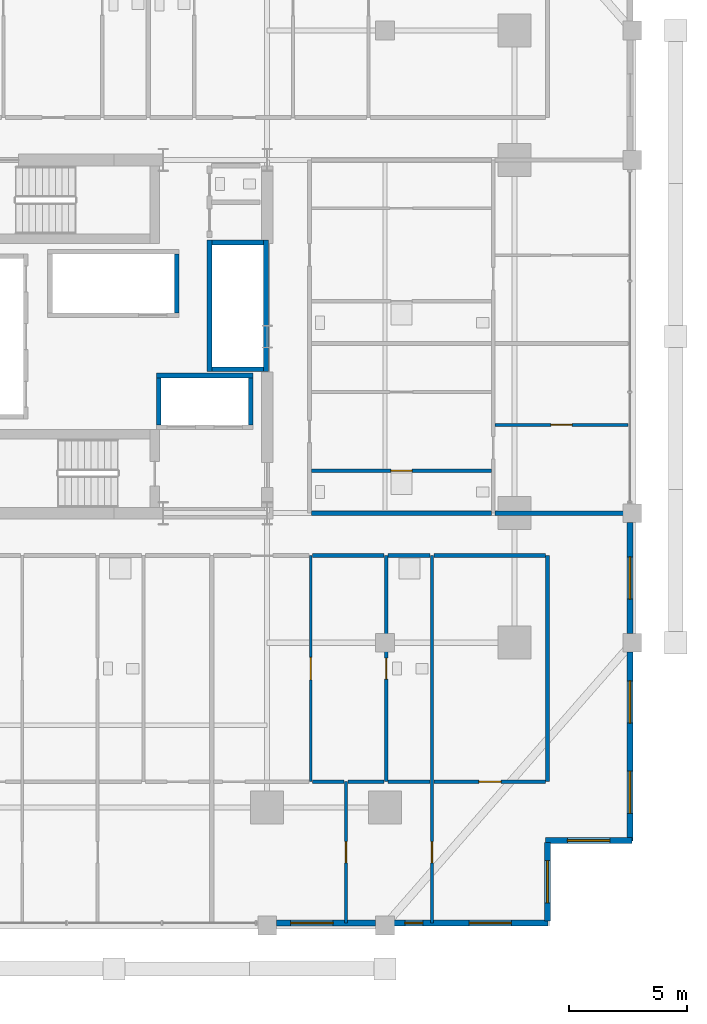
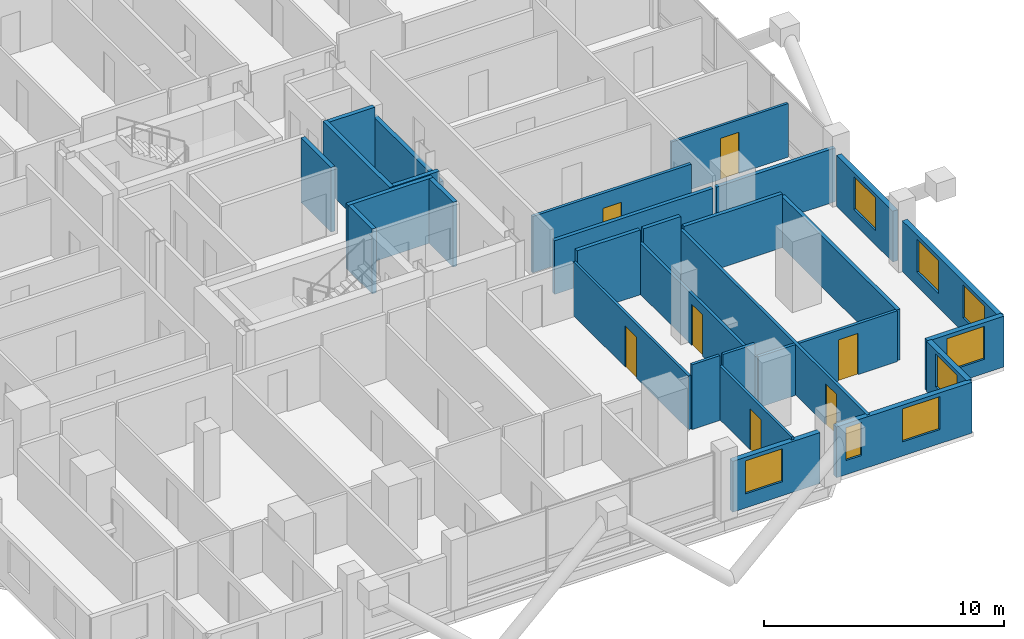
# One storey, part 19 of 24: 30 walls, 8 windows, 7 doors, 15 openings.
"""IFC4 building model written with IfcOpenShell, lengths in metres."""

from ifc_helpers import new_model, si_unit, direction, frame, frame_2d, origin, place, context, subcontext, project, spatial, rectangle, extrude, material, layer, layer_set, type_object, element, fill, save


model = new_model("IFC4")

# Units and contexts
model_context = context("Model", 3, precision=1e-05, world=origin(), true_north=direction((0.0, 1.0)))
body_context = subcontext(model_context, "Body", "Model", "MODEL_VIEW")
ifc_project = project(units=[si_unit("LENGTHUNIT", "METRE"), si_unit("AREAUNIT", "SQUARE_METRE"), si_unit("VOLUMEUNIT", "CUBIC_METRE"), si_unit("PLANEANGLEUNIT", "RADIAN"), si_unit("MASSUNIT", "GRAM", prefix="KILO")], contexts=[model_context])

# Site, building, storey
site_placement = place(None, origin())
site = spatial("IfcSite", under=ifc_project, at=site_placement, CompositionType="ELEMENT")
building_placement = place(site_placement, origin())
building = spatial("IfcBuilding", under=site, at=building_placement, Name="Barlavira Tower and Art Museum", CompositionType="ELEMENT")
storey_placement = place(building_placement, frame((0.0, 0.0, 90.0)))
storey = spatial("IfcBuildingStorey", under=building, at=storey_placement, Name="L22", CompositionType="ELEMENT", Elevation=90.0)

# Wall, opening, door
ifc_material_1 = material(Name="Gypsum acoustic stud partition", Category="gypsum")
ifc_layer_1 = layer(ifc_material_1, 0.1201171875, Name="Gypsum acoustic stud partition")
ifc_layer_set_1 = layer_set([ifc_layer_1], Name="Gypsum acoustic stud partition")
wall_type_1 = type_object("IfcWallType", Name="Apartment Internal Acoustic Partition 120", PredefinedType="PARTITIONING", material=ifc_layer_set_1)
wall_1_placement = place(storey_placement, frame((8.35009765625, -18.89990234375, 0.0), z_axis=(0.0, 0.0, 1.0), x_axis=(0.0, 1.0, 0.0)))
wall_1 = element("IfcWall", 1, at=wall_1_placement, inside=storey, type_object=wall_type_1, Name="L22 Partition Wall 24", PredefinedType="PARTITIONING", context=body_context, shape_type="SweptSolid", body=[
    extrude(rectangle(XDim=9.599853515625, YDim=0.1201171875, at=frame_2d((4.7998046875, 0.0))), origin(), (0.0, 0.0, 1.0), 2.736083984375),
])
opening_1_placement = place(wall_1_placement, frame((4.324951171875, 0.0, 0.0)))
opening_1 = element("IfcOpeningElement", 2, at=opening_1_placement, cuts=wall_1, Name="Opening D-02", PredefinedType="OPENING", context=body_context, shape_type="SweptSolid", body=[
    extrude(rectangle(XDim=0.949951171875, YDim=2.10009765625, at=frame_2d((0.47509765625, 1.050048828125))), frame((0.0, 0.070068359375, 0.0), z_axis=(0.0, -1.0, 0.0), x_axis=(1.0, 0.0, 0.0)), (0.0, 0.0, 1.0), 0.14013671875),
])
ifc_material_2 = material(Name="Engineered coastal hardwood", Category="wood")
door_type_1 = type_object("IfcDoorType", Name="Living and Salon Glazed-Leaf Door 950x2100", OperationType="NOTDEFINED", PredefinedType="DOOR", material=ifc_material_2)
door_1_placement = place(opening_1_placement, origin())
door_1 = element("IfcDoor", 3, at=door_1_placement, inside=storey, type_object=door_type_1, Name="Apartment S3 Kitchen Door", OperationType="SINGLE_SWING_RIGHT", OverallHeight=2.10009765625, OverallWidth=0.949951171875, PredefinedType="DOOR", context=body_context, shape_type="SweptSolid", body=[
    extrude(rectangle(XDim=0.949951171875, YDim=2.10009765625, at=frame_2d((0.47509765625, 1.050048828125))), frame((0.0, 0.02490234375, 0.0), z_axis=(0.0, -1.0, 0.0), x_axis=(1.0, 0.0, 0.0)), (0.0, 0.0, 1.0), 0.050048828125),
])
fill(opening_1, door_1)

wall_2_placement = place(storey_placement, frame((9.85009765625, -24.89990234375, 0.0), z_axis=(0.0, 0.0, 1.0), x_axis=(0.0, 1.0, 0.0)))
wall_2 = element("IfcWall", 4, at=wall_2_placement, inside=storey, type_object=wall_type_1, Name="L22 Partition Wall 25", PredefinedType="PARTITIONING", context=body_context, shape_type="SweptSolid", body=[
    extrude(rectangle(XDim=6.0, YDim=0.1201171875, at=frame_2d((3.0, 0.0))), origin(), (0.0, 0.0, 1.0), 2.736083984375),
])
opening_2_placement = place(wall_2_placement, frame((2.550048828125, 0.0, 0.0)))
opening_2 = element("IfcOpeningElement", 5, at=opening_2_placement, cuts=wall_2, Name="Opening D-01", PredefinedType="OPENING", context=body_context, shape_type="SweptSolid", body=[
    extrude(rectangle(XDim=0.89990234375, YDim=2.10009765625, at=frame_2d((0.449951171875, 1.050048828125))), frame((0.0, 0.070068359375, 0.0), z_axis=(0.0, -1.0, 0.0), x_axis=(1.0, 0.0, 0.0)), (0.0, 0.0, 1.0), 0.14013671875),
])
door_type_2 = type_object("IfcDoorType", Name="Internal Bedroom Timber Flush Door 900x2100", OperationType="NOTDEFINED", PredefinedType="DOOR", material=ifc_material_2)
door_2_placement = place(opening_2_placement, origin())
door_2 = element("IfcDoor", 6, at=door_2_placement, inside=storey, type_object=door_type_2, Name="Apartment S3 Bedroom 1 Door", OperationType="SINGLE_SWING_RIGHT", OverallHeight=2.10009765625, OverallWidth=0.89990234375, PredefinedType="DOOR", context=body_context, shape_type="SweptSolid", body=[
    extrude(rectangle(XDim=0.89990234375, YDim=2.10009765625, at=frame_2d((0.449951171875, 1.050048828125))), frame((0.0, 0.02490234375, 0.0), z_axis=(0.0, -1.0, 0.0), x_axis=(1.0, 0.0, 0.0)), (0.0, 0.0, 1.0), 0.050048828125),
])
fill(opening_2, door_2)

wall_3_placement = place(storey_placement, frame((16.179931640625, -3.75, 0.0), z_axis=(0.0, 0.0, 1.0), x_axis=(1.0, 0.0, 0.0)))
wall_3 = element("IfcWall", 7, at=wall_3_placement, inside=storey, type_object=wall_type_1, Name="L22 Partition Wall 65", PredefinedType="PARTITIONING", context=body_context, shape_type="SweptSolid", body=[
    extrude(rectangle(XDim=5.64013671875, YDim=0.1201171875, at=frame_2d((2.820068359375, 0.0))), origin(), (0.0, 0.0, 1.0), 2.736083984375),
])
opening_3_placement = place(wall_3_placement, frame((2.3701171875, 0.0, 0.0)))
opening_3 = element("IfcOpeningElement", 8, at=opening_3_placement, cuts=wall_3, Name="Opening D-01", PredefinedType="OPENING", context=body_context, shape_type="SweptSolid", body=[
    extrude(rectangle(XDim=0.89990234375, YDim=2.10009765625, at=frame_2d((0.449951171875, 1.050048828125))), frame((0.0, 0.070068359375, 0.0), z_axis=(0.0, -1.0, 0.0), x_axis=(1.0, 0.0, 0.0)), (0.0, 0.0, 1.0), 0.14013671875),
])
door_3_placement = place(opening_3_placement, origin())
door_3 = element("IfcDoor", 9, at=door_3_placement, inside=storey, type_object=door_type_2, Name="Apartment E1 Bedroom 1 Door", OperationType="SINGLE_SWING_RIGHT", OverallHeight=2.10009765625, OverallWidth=0.89990234375, PredefinedType="DOOR", context=body_context, shape_type="SweptSolid", body=[
    extrude(rectangle(XDim=0.89990234375, YDim=2.10009765625, at=frame_2d((0.449951171875, 1.050048828125))), frame((0.0, 0.02490234375, 0.0), z_axis=(0.0, -1.0, 0.0), x_axis=(1.0, 0.0, 0.0)), (0.0, 0.0, 1.0), 0.050048828125),
])
fill(opening_3, door_3)

# Walls
ifc_material_3 = material(Name="Autoclaved aerated concrete masonry", Category="masonry")
ifc_layer_2 = layer(ifc_material_3, 0.199951171875, Name="Autoclaved aerated concrete masonry")
ifc_layer_set_2 = layer_set([ifc_layer_2], Name="Autoclaved aerated concrete masonry")
wall_type_2 = type_object("IfcWallType", Name="Fire Compartment and Shaft Wall 200", PredefinedType="SOLIDWALL", material=ifc_layer_set_2)
wall_4_placement = place(storey_placement, frame((4.050048828125, -1.489990234375, 0.0), z_axis=(0.0, 0.0, 1.0), x_axis=(0.0, 1.0, 0.0)))
element("IfcWall", 10, at=wall_4_placement, inside=storey, type_object=wall_type_2, Name="L22 Mid-Rise Lift Front Shaft Wall", PredefinedType="SOLIDWALL", context=body_context, shape_type="SweptSolid", body=[
    extrude(rectangle(XDim=5.580078125, YDim=0.199951171875, at=frame_2d((2.7900390625, 0.0))), origin(), (0.0, 0.0, 1.0), 3.300048828125),
])
wall_5_placement = place(storey_placement, frame((6.449951171875, -1.489990234375, 0.0), z_axis=(0.0, 0.0, 1.0), x_axis=(0.0, 1.0, 0.0)))
element("IfcWall", 11, at=wall_5_placement, inside=storey, type_object=wall_type_2, Name="L22 Mid-Rise Lift Back Shaft Wall", PredefinedType="SOLIDWALL", context=body_context, shape_type="SweptSolid", body=[
    extrude(rectangle(XDim=5.580078125, YDim=0.199951171875, at=frame_2d((2.7900390625, 0.0))), origin(), (0.0, 0.0, 1.0), 2.736083984375),
])
for number, where, z_axis, x_axis, name in (
    (12, (4.14990234375, -1.389892578125, 0.0), (0.0, 0.0, 1.0), (1.0, 0.0, 0.0), "L22 Mid-Rise Lift South Shaft Wall"),
    (13, (4.14990234375, 3.989990234375, 0.0), (0.0, 0.0, 1.0), (1.0, 0.0, 0.0), "L22 Mid-Rise Lift North Shaft Wall"),
):
    element("IfcWall", number, at=place(storey_placement, frame(where, z_axis=z_axis, x_axis=x_axis)), inside=storey, type_object=wall_type_2, Name=name, PredefinedType="SOLIDWALL", context=body_context, shape_type="SweptSolid", body=[
        extrude(rectangle(XDim=2.2001953125, YDim=0.199951171875, at=frame_2d((1.10009765625, 0.0))), origin(), (0.0, 0.0, 1.0), 3.300048828125),
    ])
wall_6_placement = place(storey_placement, frame((2.659912109375, 1.0, 0.0), z_axis=(0.0, 0.0, 1.0), x_axis=(0.0, 1.0, 0.0)))
element("IfcWall", 14, at=wall_6_placement, inside=storey, type_object=wall_type_2, Name="L22 High-Rise & Service Lift East Wall", PredefinedType="SOLIDWALL", context=body_context, shape_type="SweptSolid", body=[
    extrude(rectangle(XDim=2.5, YDim=0.199951171875, at=frame_2d((1.25, 0.0))), origin(), (0.0, 0.0, 1.0), 3.300048828125),
])
wall_7_placement = place(storey_placement, frame((1.800048828125, -1.64990234375, 0.0), z_axis=(0.0, 0.0, 1.0), x_axis=(1.0, 0.0, 0.0)))
element("IfcWall", 15, at=wall_7_placement, inside=storey, type_object=wall_type_2, Name="L22 Firefighting Lift Back Shaft Wall", PredefinedType="SOLIDWALL", context=body_context, shape_type="SweptSolid", body=[
    extrude(rectangle(XDim=4.099853515625, YDim=0.199951171875, at=frame_2d((2.0498046875, 0.0))), origin(), (0.0, 0.0, 1.0), 3.300048828125),
])
for number, where, z_axis, x_axis, name in (
    (16, (1.89990234375, -3.75, 0.0), (0.0, 0.0, 1.0), (0.0, 1.0, 0.0), "L22 Firefighting Lift West Shaft Wall"),
    (17, (5.800048828125, -3.75, 0.0), (0.0, 0.0, 1.0), (0.0, 1.0, 0.0), "L22 Firefighting Lift East Shaft Wall"),
):
    element("IfcWall", number, at=place(storey_placement, frame(where, z_axis=z_axis, x_axis=x_axis)), inside=storey, type_object=wall_type_2, Name=name, PredefinedType="SOLIDWALL", context=body_context, shape_type="SweptSolid", body=[
        extrude(rectangle(XDim=2.0, YDim=0.199951171875, at=frame_2d((1.0, 0.0))), origin(), (0.0, 0.0, 1.0), 3.300048828125),
    ])
ifc_layer_3 = layer(ifc_material_1, 0.179931640625, Name="Gypsum acoustic stud partition")
ifc_layer_set_3 = layer_set([ifc_layer_3], Name="Gypsum acoustic stud partition")
wall_type_3 = type_object("IfcWallType", Name="Inter-Tenancy Party Partition Wall 180", PredefinedType="PARTITIONING", material=ifc_layer_set_3)
wall_8_placement = place(storey_placement, frame((18.39990234375, -18.89990234375, 0.0), z_axis=(0.0, 0.0, 1.0), x_axis=(0.0, 1.0, 0.0)))
element("IfcWall", 18, at=wall_8_placement, inside=storey, type_object=wall_type_3, Name="L22 Partition Wall 31", PredefinedType="PARTITIONING", context=body_context, shape_type="SweptSolid", body=[
    extrude(rectangle(XDim=9.599853515625, YDim=0.179931640625, at=frame_2d((4.7998046875, 0.0))), origin(), (0.0, 0.0, 1.0), 2.590087890625),
])
wall_9_placement = place(storey_placement, frame((8.429931640625, -9.300048828125, 0.0), z_axis=(0.0, 0.0, 1.0), x_axis=(1.0, 0.0, 0.0)))
element("IfcWall", 19, at=wall_9_placement, inside=storey, type_object=wall_type_3, Name="L22 Partition Wall 55", PredefinedType="PARTITIONING", context=body_context, shape_type="SweptSolid", body=[
    extrude(rectangle(XDim=3.0400390625, YDim=0.179931640625, at=frame_2d((1.52001953125, 0.0))), origin(), (0.0, 0.0, 1.0), 3.300048828125),
])
wall_10_placement = place(storey_placement, frame((11.6298828125, -9.300048828125, 0.0), z_axis=(0.0, 0.0, 1.0), x_axis=(1.0, 0.0, 0.0)))
element("IfcWall", 20, at=wall_10_placement, inside=storey, type_object=wall_type_3, Name="L22 Partition Wall 56", PredefinedType="PARTITIONING", context=body_context, shape_type="SweptSolid", body=[
    extrude(rectangle(XDim=1.7900390625, YDim=0.179931640625, at=frame_2d((0.89501953125, 0.0))), origin(), (0.0, 0.0, 1.0), 3.300048828125),
])
wall_11_placement = place(storey_placement, frame((13.580078125, -9.300048828125, 0.0), z_axis=(0.0, 0.0, 1.0), x_axis=(1.0, 0.0, 0.0)))
element("IfcWall", 21, at=wall_11_placement, inside=storey, type_object=wall_type_3, Name="L22 Partition Wall 57", PredefinedType="PARTITIONING", context=body_context, shape_type="SweptSolid", body=[
    extrude(rectangle(XDim=4.739990234375, YDim=0.179931640625, at=frame_2d((2.3701171875, 0.0))), origin(), (0.0, 0.0, 1.0), 2.736083984375),
])
wall_12_placement = place(storey_placement, frame((8.3798828125, -7.5, 0.0), z_axis=(0.0, 0.0, 1.0), x_axis=(1.0, 0.0, 0.0)))
element("IfcWall", 22, at=wall_12_placement, inside=storey, type_object=wall_type_3, Name="L22 Partition Wall 60", PredefinedType="PARTITIONING", context=body_context, shape_type="SweptSolid", body=[
    extrude(rectangle(XDim=7.64013671875, YDim=0.179931640625, at=frame_2d((3.820068359375, 0.0))), origin(), (0.0, 0.0, 1.0), 2.736083984375),
])
wall_13_placement = place(storey_placement, frame((16.179931640625, -7.5, 0.0), z_axis=(0.0, 0.0, 1.0), x_axis=(1.0, 0.0, 0.0)))
element("IfcWall", 23, at=wall_13_placement, inside=storey, type_object=wall_type_3, Name="L22 Partition Wall 61", PredefinedType="PARTITIONING", context=body_context, shape_type="SweptSolid", body=[
    extrude(rectangle(XDim=5.719970703125, YDim=0.179931640625, at=frame_2d((2.85986328125, 0.0))), origin(), (0.0, 0.0, 1.0), 2.736083984375),
])

# Wall, opening, door
ifc_layer_4 = layer(ifc_material_1, 0.139892578125, Name="Gypsum acoustic stud partition")
ifc_layer_set_4 = layer_set([ifc_layer_4], Name="Gypsum acoustic stud partition")
wall_type_4 = type_object("IfcWallType", Name="Moisture-Resistant Bathroom Partition 140", PredefinedType="PARTITIONING", material=ifc_layer_set_4)
wall_14_placement = place(storey_placement, frame((11.550048828125, -18.89990234375, 0.0), z_axis=(0.0, 0.0, 1.0), x_axis=(0.0, 1.0, 0.0)))
wall_14 = element("IfcWall", 24, at=wall_14_placement, inside=storey, type_object=wall_type_4, Name="L22 Partition Wall 27", PredefinedType="PARTITIONING", context=body_context, shape_type="SweptSolid", body=[
    extrude(rectangle(XDim=9.599853515625, YDim=0.139892578125, at=frame_2d((4.7998046875, 0.0))), origin(), (0.0, 0.0, 1.0), 2.590087890625),
])
opening_4_placement = place(wall_14_placement, frame((4.35009765625, 0.0, 0.0)))
opening_4 = element("IfcOpeningElement", 25, at=opening_4_placement, cuts=wall_14, Name="Opening D-WC", PredefinedType="OPENING", context=body_context, shape_type="SweptSolid", body=[
    extrude(rectangle(XDim=0.89990234375, YDim=2.10009765625, at=frame_2d((0.449951171875, 1.050048828125))), frame((0.0, 0.080078125, 0.0), z_axis=(0.0, -1.0, 0.0), x_axis=(1.0, 0.0, 0.0)), (0.0, 0.0, 1.0), 0.159912109375),
])
door_type_3 = type_object("IfcDoorType", Name="Accessible Bathroom Flush Door 900x2100", OperationType="NOTDEFINED", PredefinedType="DOOR", material=ifc_material_2)
door_4_placement = place(opening_4_placement, origin())
door_4 = element("IfcDoor", 26, at=door_4_placement, inside=storey, type_object=door_type_3, Name="Apartment S3 Hall Bathroom Door", OperationType="SINGLE_SWING_LEFT", OverallHeight=2.10009765625, OverallWidth=0.89990234375, PredefinedType="DOOR", context=body_context, shape_type="SweptSolid", body=[
    extrude(rectangle(XDim=0.89990234375, YDim=2.10009765625, at=frame_2d((0.449951171875, 1.050048828125))), frame((0.0, 0.02490234375, 0.0), z_axis=(0.0, -1.0, 0.0), x_axis=(1.0, 0.0, 0.0)), (0.0, 0.0, 1.0), 0.050048828125),
])
fill(opening_4, door_4)

wall_15_placement = place(storey_placement, frame((13.5, -24.89990234375, 0.0), z_axis=(0.0, 0.0, 1.0), x_axis=(0.0, 1.0, 0.0)))
wall_15 = element("IfcWall", 27, at=wall_15_placement, inside=storey, type_object=wall_type_4, Name="L22 Partition Wall 29", PredefinedType="PARTITIONING", context=body_context, shape_type="SweptSolid", body=[
    extrude(rectangle(XDim=15.599853515625, YDim=0.139892578125, at=frame_2d((7.7998046875, 0.0))), origin(), (0.0, 0.0, 1.0), 2.590087890625),
])
opening_5_placement = place(wall_15_placement, frame((2.550048828125, 0.0, 0.0)))
opening_5 = element("IfcOpeningElement", 28, at=opening_5_placement, cuts=wall_15, Name="Opening D-01", PredefinedType="OPENING", context=body_context, shape_type="SweptSolid", body=[
    extrude(rectangle(XDim=0.89990234375, YDim=2.10009765625, at=frame_2d((0.449951171875, 1.050048828125))), frame((0.0, 0.080078125, 0.0), z_axis=(0.0, -1.0, 0.0), x_axis=(1.0, 0.0, 0.0)), (0.0, 0.0, 1.0), 0.159912109375),
])
door_5_placement = place(opening_5_placement, origin())
door_5 = element("IfcDoor", 29, at=door_5_placement, inside=storey, type_object=door_type_2, Name="Apartment S3 Bedroom 2 Door", OperationType="SINGLE_SWING_LEFT", OverallHeight=2.10009765625, OverallWidth=0.89990234375, PredefinedType="DOOR", context=body_context, shape_type="SweptSolid", body=[
    extrude(rectangle(XDim=0.89990234375, YDim=2.10009765625, at=frame_2d((0.449951171875, 1.050048828125))), frame((0.0, 0.02490234375, 0.0), z_axis=(0.0, -1.0, 0.0), x_axis=(1.0, 0.0, 0.0)), (0.0, 0.0, 1.0), 0.050048828125),
])
fill(opening_5, door_5)

# Walls
wall_16_placement = place(storey_placement, frame((8.429931640625, -18.89990234375, 0.0), z_axis=(0.0, 0.0, 1.0), x_axis=(1.0, 0.0, 0.0)))
element("IfcWall", 30, at=wall_16_placement, inside=storey, type_object=wall_type_4, Name="L22 Partition Wall 43", PredefinedType="PARTITIONING", context=body_context, shape_type="SweptSolid", body=[
    extrude(rectangle(XDim=1.340087890625, YDim=0.139892578125, at=frame_2d((0.669921875, 0.0))), origin(), (0.0, 0.0, 1.0), 3.300048828125),
])
wall_17_placement = place(storey_placement, frame((9.929931640625, -18.89990234375, 0.0), z_axis=(0.0, 0.0, 1.0), x_axis=(1.0, 0.0, 0.0)))
element("IfcWall", 31, at=wall_17_placement, inside=storey, type_object=wall_type_4, Name="L22 Partition Wall 44", PredefinedType="PARTITIONING", context=body_context, shape_type="SweptSolid", body=[
    extrude(rectangle(XDim=1.5400390625, YDim=0.139892578125, at=frame_2d((0.77001953125, 0.0))), origin(), (0.0, 0.0, 1.0), 3.300048828125),
])
wall_18_placement = place(storey_placement, frame((11.6298828125, -18.89990234375, 0.0), z_axis=(0.0, 0.0, 1.0), x_axis=(1.0, 0.0, 0.0)))
element("IfcWall", 32, at=wall_18_placement, inside=storey, type_object=wall_type_4, Name="L22 Partition Wall 45", PredefinedType="PARTITIONING", context=body_context, shape_type="SweptSolid", body=[
    extrude(rectangle(XDim=1.7900390625, YDim=0.139892578125, at=frame_2d((0.89501953125, 0.0))), origin(), (0.0, 0.0, 1.0), 2.590087890625),
])

# Wall, opening, door
wall_19_placement = place(storey_placement, frame((13.580078125, -18.89990234375, 0.0), z_axis=(0.0, 0.0, 1.0), x_axis=(1.0, 0.0, 0.0)))
wall_19 = element("IfcWall", 33, at=wall_19_placement, inside=storey, type_object=wall_type_4, Name="L22 Partition Wall 46", PredefinedType="PARTITIONING", context=body_context, shape_type="SweptSolid", body=[
    extrude(rectangle(XDim=4.739990234375, YDim=0.139892578125, at=frame_2d((2.3701171875, 0.0))), origin(), (0.0, 0.0, 1.0), 2.590087890625),
])
opening_6_placement = place(wall_19_placement, frame((1.905029296875, 0.0, 0.0)))
opening_6 = element("IfcOpeningElement", 34, at=opening_6_placement, cuts=wall_19, Name="Opening D-02", PredefinedType="OPENING", context=body_context, shape_type="SweptSolid", body=[
    extrude(rectangle(XDim=0.949951171875, YDim=2.10009765625, at=frame_2d((0.47509765625, 1.050048828125))), frame((0.0, 0.080078125, 0.0), z_axis=(0.0, -1.0, 0.0), x_axis=(1.0, 0.0, 0.0)), (0.0, 0.0, 1.0), 0.159912109375),
])
door_6_placement = place(opening_6_placement, origin())
door_6 = element("IfcDoor", 35, at=door_6_placement, inside=storey, type_object=door_type_1, Name="Apartment S3 Dining Salon Door", OperationType="SINGLE_SWING_RIGHT", OverallHeight=2.10009765625, OverallWidth=0.949951171875, PredefinedType="DOOR", context=body_context, shape_type="SweptSolid", body=[
    extrude(rectangle(XDim=0.949951171875, YDim=2.10009765625, at=frame_2d((0.47509765625, 1.050048828125))), frame((0.0, 0.02490234375, 0.0), z_axis=(0.0, -1.0, 0.0), x_axis=(1.0, 0.0, 0.0)), (0.0, 0.0, 1.0), 0.050048828125),
])
fill(opening_6, door_6)

wall_20_placement = place(storey_placement, frame((8.3798828125, -5.699951171875, 0.0), z_axis=(0.0, 0.0, 1.0), x_axis=(1.0, 0.0, 0.0)))
wall_20 = element("IfcWall", 36, at=wall_20_placement, inside=storey, type_object=wall_type_4, Name="L22 Partition Wall 63", PredefinedType="PARTITIONING", context=body_context, shape_type="SweptSolid", body=[
    extrude(rectangle(XDim=7.64013671875, YDim=0.139892578125, at=frame_2d((3.820068359375, 0.0))), origin(), (0.0, 0.0, 1.0), 2.867919921875),
])
opening_7_placement = place(wall_20_placement, frame((3.3701171875, 0.0, 0.0)))
opening_7 = element("IfcOpeningElement", 37, at=opening_7_placement, cuts=wall_20, Name="Opening D-WC", PredefinedType="OPENING", context=body_context, shape_type="SweptSolid", body=[
    extrude(rectangle(XDim=0.89990234375, YDim=2.10009765625, at=frame_2d((0.449951171875, 1.050048828125))), frame((0.0, 0.080078125, 0.0), z_axis=(0.0, -1.0, 0.0), x_axis=(1.0, 0.0, 0.0)), (0.0, 0.0, 1.0), 0.159912109375),
])
door_7_placement = place(opening_7_placement, origin())
door_7 = element("IfcDoor", 38, at=door_7_placement, inside=storey, type_object=door_type_3, Name="Apartment E1 Hall Bathroom Door", OperationType="SINGLE_SWING_RIGHT", OverallHeight=2.10009765625, OverallWidth=0.89990234375, PredefinedType="DOOR", context=body_context, shape_type="SweptSolid", body=[
    extrude(rectangle(XDim=0.89990234375, YDim=2.10009765625, at=frame_2d((0.449951171875, 1.050048828125))), frame((0.0, 0.02490234375, 0.0), z_axis=(0.0, -1.0, 0.0), x_axis=(1.0, 0.0, 0.0)), (0.0, 0.0, 1.0), 0.050048828125),
])
fill(opening_7, door_7)

# Wall, opening, window
ifc_material_4 = material(Name="Precast concrete C40", Category="concrete")
ifc_layer_5 = layer(ifc_material_4, 0.25, Name="Precast concrete C40")
ifc_layer_set_5 = layer_set([ifc_layer_5], Name="Precast concrete C40")
wall_type_5 = type_object("IfcWallType", Name="Notched Corner Spandrel Wall 250 Precast Concrete C40", PredefinedType="SOLIDWALL", material=ifc_layer_set_5)
wall_21_placement = place(storey_placement, frame((6.89501953125, -24.89990234375, 0.0), z_axis=(0.0, 0.0, 1.0), x_axis=(1.0, 0.0, 0.0)))
wall_21 = element("IfcWall", 39, at=wall_21_placement, inside=storey, type_object=wall_type_5, Name="L22 Coastal Facade Pier Wall CW1-L22-S-4", PredefinedType="SOLIDWALL", context=body_context, shape_type="SweptSolid", body=[
    extrude(rectangle(XDim=4.2099609375, YDim=0.25, at=frame_2d((2.10498046875, 0.0))), origin(), (0.0, 0.0, 1.0), 2.590087890625),
])
opening_8_placement = place(wall_21_placement, frame((0.60498046875, 0.0, 0.719970703125)))
opening_8 = element("IfcOpeningElement", 40, at=opening_8_placement, cuts=wall_21, Name="Opening WN-01", PredefinedType="OPENING", context=body_context, shape_type="SweptSolid", body=[
    extrude(rectangle(XDim=1.800048828125, YDim=1.679931640625, at=frame_2d((0.89990234375, 0.83984375))), frame((0.0, 0.135009765625, 0.0), z_axis=(0.0, -1.0, 0.0), x_axis=(1.0, 0.0, 0.0)), (0.0, 0.0, 1.0), 0.27001953125),
])
ifc_material_5 = material(Name="Low-iron coastal laminated glass", Category="glass")
window_type_1 = type_object("IfcWindowType", Name="Recessed Notch Corner Punch Window 1800x1680", PartitioningType="SINGLE_PANEL", PredefinedType="WINDOW", material=ifc_material_5)
window_1_placement = place(opening_8_placement, origin())
window_1 = element("IfcWindow", 41, at=window_1_placement, inside=storey, type_object=window_type_1, Name="L22 Punched Facade Window EWP-CW1-L22-S-4-1", OverallHeight=1.679931640625, OverallWidth=1.800048828125, PartitioningType="SINGLE_PANEL", PredefinedType="WINDOW", context=body_context, shape_type="SweptSolid", body=[
    extrude(rectangle(XDim=1.800048828125, YDim=1.679931640625, at=frame_2d((0.89990234375, 0.83984375))), frame((0.0, 0.030029296875, 0.0), z_axis=(0.0, -1.0, 0.0), x_axis=(1.0, 0.0, 0.0)), (0.0, 0.0, 1.0), 0.06005859375),
])
fill(opening_8, window_1)

# Wall, openings, windows
wall_22_placement = place(storey_placement, frame((11.89501953125, -24.89990234375, 0.0), z_axis=(0.0, 0.0, 1.0), x_axis=(1.0, 0.0, 0.0)))
wall_22 = element("IfcWall", 42, at=wall_22_placement, inside=storey, type_object=wall_type_5, Name="L22 Coastal Facade Pier Wall CW1-L22-S-5", PredefinedType="SOLIDWALL", context=body_context, shape_type="SweptSolid", body=[
    extrude(rectangle(XDim=6.530029296875, YDim=0.25, at=frame_2d((3.26513671875, 0.0))), origin(), (0.0, 0.0, 1.0), 2.590087890625),
])
opening_9_placement = place(wall_22_placement, frame((0.455078125, 0.0, 0.719970703125)))
opening_9 = element("IfcOpeningElement", 43, at=opening_9_placement, cuts=wall_22, Name="Opening WN-06", PredefinedType="OPENING", context=body_context, shape_type="SweptSolid", body=[
    extrude(rectangle(XDim=0.760009765625, YDim=1.679931640625, at=frame_2d((0.3798828125, 0.83984375))), frame((0.0, 0.135009765625, 0.0), z_axis=(0.0, -1.0, 0.0), x_axis=(1.0, 0.0, 0.0)), (0.0, 0.0, 1.0), 0.27001953125),
])
opening_10_placement = place(wall_22_placement, frame((3.177978515625, 0.0, 0.719970703125)))
opening_10 = element("IfcOpeningElement", 44, at=opening_10_placement, cuts=wall_22, Name="Opening WN-01", PredefinedType="OPENING", context=body_context, shape_type="SweptSolid", body=[
    extrude(rectangle(XDim=1.800048828125, YDim=1.679931640625, at=frame_2d((0.89990234375, 0.83984375))), frame((0.0, 0.135009765625, 0.0), z_axis=(0.0, -1.0, 0.0), x_axis=(1.0, 0.0, 0.0)), (0.0, 0.0, 1.0), 0.27001953125),
])
window_type_2 = type_object("IfcWindowType", Name="Recessed Narrow Pier Window 760x1680", PartitioningType="SINGLE_PANEL", PredefinedType="WINDOW", material=ifc_material_5)
window_2_placement = place(opening_9_placement, origin())
window_2 = element("IfcWindow", 45, at=window_2_placement, inside=storey, type_object=window_type_2, Name="L22 Punched Facade Window EWP-CW1-L22-S-5-1", OverallHeight=1.679931640625, OverallWidth=0.760009765625, PartitioningType="SINGLE_PANEL", PredefinedType="WINDOW", context=body_context, shape_type="SweptSolid", body=[
    extrude(rectangle(XDim=0.760009765625, YDim=1.679931640625, at=frame_2d((0.3798828125, 0.83984375))), frame((0.0, 0.030029296875, 0.0), z_axis=(0.0, -1.0, 0.0), x_axis=(1.0, 0.0, 0.0)), (0.0, 0.0, 1.0), 0.06005859375),
])
fill(opening_9, window_2)
window_3_placement = place(opening_10_placement, origin())
window_3 = element("IfcWindow", 46, at=window_3_placement, inside=storey, type_object=window_type_1, Name="L22 Punched Facade Window EWP-CW1-L22-S-5-2", OverallHeight=1.679931640625, OverallWidth=1.800048828125, PartitioningType="SINGLE_PANEL", PredefinedType="WINDOW", context=body_context, shape_type="SweptSolid", body=[
    extrude(rectangle(XDim=1.800048828125, YDim=1.679931640625, at=frame_2d((0.89990234375, 0.83984375))), frame((0.0, 0.030029296875, 0.0), z_axis=(0.0, -1.0, 0.0), x_axis=(1.0, 0.0, 0.0)), (0.0, 0.0, 1.0), 0.06005859375),
])
fill(opening_10, window_3)

wall_23_placement = place(storey_placement, frame((21.89990234375, -21.425048828125, 0.0), z_axis=(0.0, 0.0, 1.0), x_axis=(0.0, 1.0, 0.0)))
wall_23 = element("IfcWall", 47, at=wall_23_placement, inside=storey, type_object=wall_type_5, Name="L22 Coastal Facade Pier Wall CW1-L22-E-1", PredefinedType="SOLIDWALL", context=body_context, shape_type="SweptSolid", body=[
    extrude(rectangle(XDim=8.030029296875, YDim=0.25, at=frame_2d((4.01513671875, 0.0))), origin(), (0.0, 0.0, 1.0), 2.590087890625),
])
opening_11_placement = place(wall_23_placement, frame((1.176025390625, 0.0, 0.719970703125)))
opening_11 = element("IfcOpeningElement", 48, at=opening_11_placement, cuts=wall_23, Name="Opening WN-01", PredefinedType="OPENING", context=body_context, shape_type="SweptSolid", body=[
    extrude(rectangle(XDim=1.800048828125, YDim=1.679931640625, at=frame_2d((0.89990234375, 0.83984375))), frame((0.0, 0.135009765625, 0.0), z_axis=(0.0, -1.0, 0.0), x_axis=(1.0, 0.0, 0.0)), (0.0, 0.0, 1.0), 0.27001953125),
])
opening_12_placement = place(wall_23_placement, frame((5.009033203125, 0.0, 0.719970703125)))
opening_12 = element("IfcOpeningElement", 49, at=opening_12_placement, cuts=wall_23, Name="Opening WN-01", PredefinedType="OPENING", context=body_context, shape_type="SweptSolid", body=[
    extrude(rectangle(XDim=1.800048828125, YDim=1.679931640625, at=frame_2d((0.89990234375, 0.83984375))), frame((0.0, 0.135009765625, 0.0), z_axis=(0.0, -1.0, 0.0), x_axis=(1.0, 0.0, 0.0)), (0.0, 0.0, 1.0), 0.27001953125),
])
window_4_placement = place(opening_11_placement, origin())
window_4 = element("IfcWindow", 50, at=window_4_placement, inside=storey, type_object=window_type_1, Name="L22 Punched Facade Window EWP-CW1-L22-E-1-1", OverallHeight=1.679931640625, OverallWidth=1.800048828125, PartitioningType="SINGLE_PANEL", PredefinedType="WINDOW", context=body_context, shape_type="SweptSolid", body=[
    extrude(rectangle(XDim=1.800048828125, YDim=1.679931640625, at=frame_2d((0.89990234375, 0.83984375))), frame((0.0, 0.030029296875, 0.0), z_axis=(0.0, -1.0, 0.0), x_axis=(1.0, 0.0, 0.0)), (0.0, 0.0, 1.0), 0.06005859375),
])
fill(opening_11, window_4)
window_5_placement = place(opening_12_placement, origin())
window_5 = element("IfcWindow", 51, at=window_5_placement, inside=storey, type_object=window_type_1, Name="L22 Punched Facade Window EWP-CW1-L22-E-1-2", OverallHeight=1.679931640625, OverallWidth=1.800048828125, PartitioningType="SINGLE_PANEL", PredefinedType="WINDOW", context=body_context, shape_type="SweptSolid", body=[
    extrude(rectangle(XDim=1.800048828125, YDim=1.679931640625, at=frame_2d((0.89990234375, 0.83984375))), frame((0.0, 0.030029296875, 0.0), z_axis=(0.0, -1.0, 0.0), x_axis=(1.0, 0.0, 0.0)), (0.0, 0.0, 1.0), 0.06005859375),
])
fill(opening_12, window_5)

# Wall, opening, window
wall_24_placement = place(storey_placement, frame((21.89990234375, -12.60498046875, 0.0), z_axis=(0.0, 0.0, 1.0), x_axis=(0.0, 1.0, 0.0)))
wall_24 = element("IfcWall", 52, at=wall_24_placement, inside=storey, type_object=wall_type_5, Name="L22 Coastal Facade Pier Wall CW1-L22-E-2", PredefinedType="SOLIDWALL", context=body_context, shape_type="SweptSolid", body=[
    extrude(rectangle(XDim=4.7099609375, YDim=0.25, at=frame_2d((2.35498046875, 0.0))), origin(), (0.0, 0.0, 1.0), 2.590087890625),
])
opening_13_placement = place(wall_24_placement, frame((1.455078125, 0.0, 0.719970703125)))
opening_13 = element("IfcOpeningElement", 53, at=opening_13_placement, cuts=wall_24, Name="Opening WN-01", PredefinedType="OPENING", context=body_context, shape_type="SweptSolid", body=[
    extrude(rectangle(XDim=1.800048828125, YDim=1.679931640625, at=frame_2d((0.89990234375, 0.83984375))), frame((0.0, 0.135009765625, 0.0), z_axis=(0.0, -1.0, 0.0), x_axis=(1.0, 0.0, 0.0)), (0.0, 0.0, 1.0), 0.27001953125),
])
window_6_placement = place(opening_13_placement, origin())
window_6 = element("IfcWindow", 54, at=window_6_placement, inside=storey, type_object=window_type_1, Name="L22 Punched Facade Window EWP-CW1-L22-E-2-1", OverallHeight=1.679931640625, OverallWidth=1.800048828125, PartitioningType="SINGLE_PANEL", PredefinedType="WINDOW", context=body_context, shape_type="SweptSolid", body=[
    extrude(rectangle(XDim=1.800048828125, YDim=1.679931640625, at=frame_2d((0.89990234375, 0.83984375))), frame((0.0, 0.030029296875, 0.0), z_axis=(0.0, -1.0, 0.0), x_axis=(1.0, 0.0, 0.0)), (0.0, 0.0, 1.0), 0.06005859375),
])
fill(opening_13, window_6)

wall_25_placement = place(storey_placement, frame((18.39990234375, -24.820068359375, 0.0), z_axis=(0.0, 0.0, 1.0), x_axis=(0.0, 1.0, 0.0)))
wall_25 = element("IfcWall", 55, at=wall_25_placement, inside=storey, type_object=wall_type_5, Name="L22 Notch Corner Wall SE1", PredefinedType="SOLIDWALL", context=body_context, shape_type="SweptSolid", body=[
    extrude(rectangle(XDim=3.340087890625, YDim=0.25, at=frame_2d((1.669921875, 0.0))), origin(), (0.0, 0.0, 1.0), 2.590087890625),
])
opening_14_placement = place(wall_25_placement, frame((0.77001953125, 0.0, 0.719970703125)))
opening_14 = element("IfcOpeningElement", 56, at=opening_14_placement, cuts=wall_25, Name="Opening WN-01", PredefinedType="OPENING", context=body_context, shape_type="SweptSolid", body=[
    extrude(rectangle(XDim=1.800048828125, YDim=1.679931640625, at=frame_2d((0.89990234375, 0.83984375))), frame((0.0, 0.135009765625, 0.0), z_axis=(0.0, -1.0, 0.0), x_axis=(1.0, 0.0, 0.0)), (0.0, 0.0, 1.0), 0.27001953125),
])
window_7_placement = place(opening_14_placement, origin())
window_7 = element("IfcWindow", 57, at=window_7_placement, inside=storey, type_object=window_type_1, Name="L22 Punched Facade Window EW-NTC-L22-SE1-1", OverallHeight=1.679931640625, OverallWidth=1.800048828125, PartitioningType="SINGLE_PANEL", PredefinedType="WINDOW", context=body_context, shape_type="SweptSolid", body=[
    extrude(rectangle(XDim=1.800048828125, YDim=1.679931640625, at=frame_2d((0.89990234375, 0.83984375))), frame((0.0, 0.030029296875, 0.0), z_axis=(0.0, -1.0, 0.0), x_axis=(1.0, 0.0, 0.0)), (0.0, 0.0, 1.0), 0.06005859375),
])
fill(opening_14, window_7)

wall_26_placement = place(storey_placement, frame((18.320068359375, -21.39990234375, 0.0), z_axis=(0.0, 0.0, 1.0), x_axis=(1.0, 0.0, 0.0)))
wall_26 = element("IfcWall", 58, at=wall_26_placement, inside=storey, type_object=wall_type_5, Name="L22 Notch Corner Wall SE2", PredefinedType="SOLIDWALL", context=body_context, shape_type="SweptSolid", body=[
    extrude(rectangle(XDim=3.659912109375, YDim=0.25, at=frame_2d((1.830078125, 0.0))), origin(), (0.0, 0.0, 1.0), 2.590087890625),
])
opening_15_placement = place(wall_26_placement, frame((0.929931640625, 0.0, 0.719970703125)))
opening_15 = element("IfcOpeningElement", 59, at=opening_15_placement, cuts=wall_26, Name="Opening WN-01", PredefinedType="OPENING", context=body_context, shape_type="SweptSolid", body=[
    extrude(rectangle(XDim=1.800048828125, YDim=1.679931640625, at=frame_2d((0.89990234375, 0.83984375))), frame((0.0, 0.135009765625, 0.0), z_axis=(0.0, -1.0, 0.0), x_axis=(1.0, 0.0, 0.0)), (0.0, 0.0, 1.0), 0.27001953125),
])
window_8_placement = place(opening_15_placement, origin())
window_8 = element("IfcWindow", 60, at=window_8_placement, inside=storey, type_object=window_type_1, Name="L22 Punched Facade Window EW-NTC-L22-SE2-1", OverallHeight=1.679931640625, OverallWidth=1.800048828125, PartitioningType="SINGLE_PANEL", PredefinedType="WINDOW", context=body_context, shape_type="SweptSolid", body=[
    extrude(rectangle(XDim=1.800048828125, YDim=1.679931640625, at=frame_2d((0.89990234375, 0.83984375))), frame((0.0, 0.030029296875, 0.0), z_axis=(0.0, -1.0, 0.0), x_axis=(1.0, 0.0, 0.0)), (0.0, 0.0, 1.0), 0.06005859375),
])
fill(opening_15, window_8)

save(model, "model.ifc")
